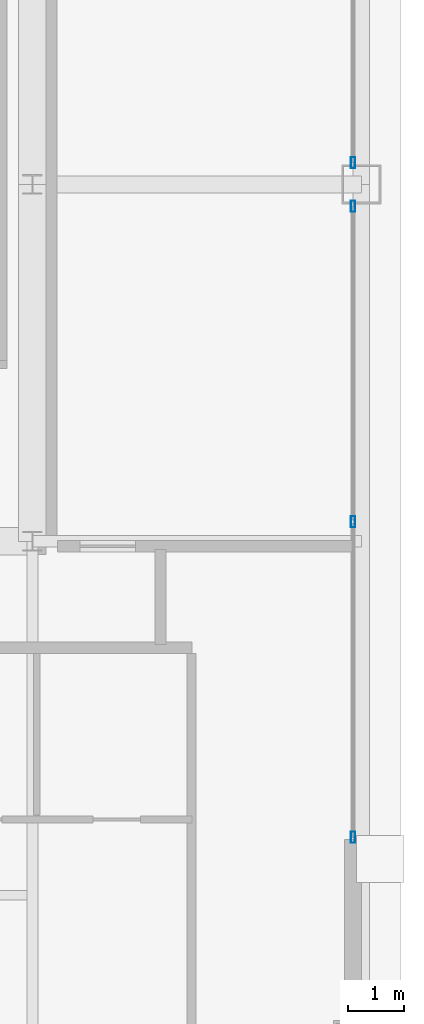
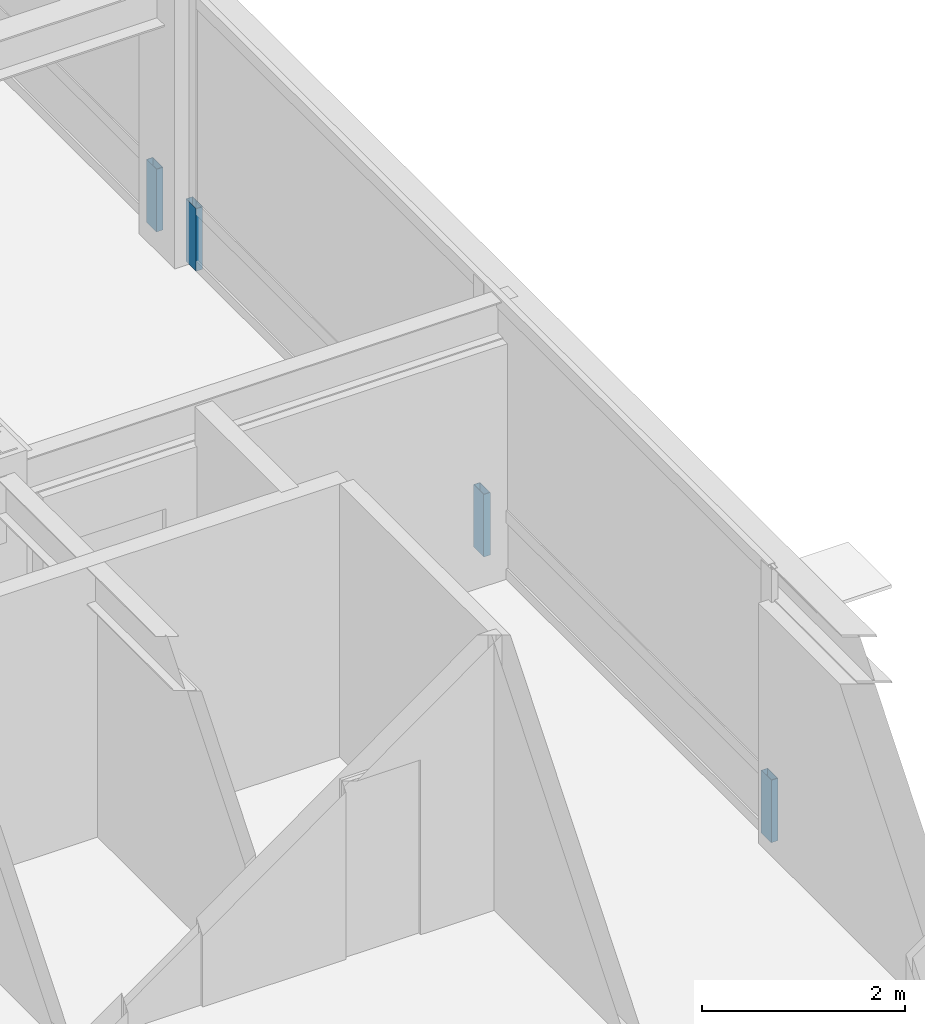
# One storey, part 25 of 34: 4 members, 2 elements without a shape of their own.
"""IFC4 building model written with IfcOpenShell, lengths in metres."""

from ifc_helpers import new_model, si_unit, direction, frame, origin, origin_2d, place, context, subcontext, project, spatial, hollow_rectangle, extrude, source, transform, mapped, material, layer, layer_set, material_profile, profile_set, type_object, element, aggregate, save


model = new_model("IFC4")

# Units and contexts
model_context = context("Model", 3, precision=1e-05, world=origin(), true_north=direction((0.0, 1.0)))
body_context = subcontext(model_context, "Body", "Model", "MODEL_VIEW")
ifc_project = project(units=[si_unit("LENGTHUNIT", "METRE"), si_unit("AREAUNIT", "SQUARE_METRE"), si_unit("VOLUMEUNIT", "CUBIC_METRE"), si_unit("PLANEANGLEUNIT", "RADIAN"), si_unit("MASSUNIT", "GRAM", prefix="KILO"), si_unit("THERMODYNAMICTEMPERATUREUNIT", "KELVIN"), si_unit("POWERUNIT", "WATT")], contexts=[model_context])

# Site, building, storey
site_placement = place(None, origin())
site = spatial("IfcSite", under=ifc_project, at=site_placement, CompositionType="ELEMENT")
building_placement = place(site_placement, origin())
building = spatial("IfcBuilding", under=site, at=building_placement, Name="Yuzanri Waterfront Tower", CompositionType="ELEMENT")
storey_placement = place(building_placement, frame((0.0, 0.0, 325.199951171875)))
storey = spatial("IfcBuildingStorey", under=building, at=storey_placement, Name="L87", CompositionType="ELEMENT", Elevation=325.199951171875)

# Curtain wall, members
ifc_material_1 = material(Name="Anodized Architectural Bronze", Category="metal")
ifc_layer = layer(ifc_material_1, 0.159912109375)
ifc_layer_set = layer_set([ifc_layer], Name="Anodized Architectural Bronze")
curtain_wall_type = type_object("IfcCurtainWallType", Name="Anodized Bronze High-Rise Penthouse High-Wind Unitized Curtain Wall 6900", PredefinedType="NOTDEFINED", material=ifc_layer_set)
curtain_wall_1_placement = place(storey_placement, origin())
curtain_wall_1 = element("IfcCurtainWall", 1, at=curtain_wall_1_placement, inside=storey, type_object=curtain_wall_type, Name="L87 Curtain Wall CW-L87-EL", PredefinedType="NOTDEFINED")
ifc_material_2 = material(Name="Anodized Architectural Bronze", Category="metal")
ifc_material_profile = material_profile(ifc_material_2, hollow_rectangle(XDim=0.074951171875, YDim=0.199951171875, WallThickness=0.00390625, at=origin_2d()), Name="CWM 75x200")
ifc_profile_set = profile_set([ifc_material_profile], Name="Anodized Architectural Bronze")
member_type = type_object("IfcMemberType", Name="Anodized Bronze Primary Curtain-Wall Mullion 75x200", PredefinedType="MULLION", material=ifc_profile_set)
shared_shape = source(origin(), body_context, "Body", "SweptSolid", [
    extrude(hollow_rectangle(XDim=0.074951171875, YDim=0.199951171875, WallThickness=0.00390625, at=origin_2d()), origin(), (0.0, 0.0, 1.0), 0.751953125),
])
member_1_placement = place(storey_placement, frame((55.949951171875, 14.090087890625, 0.0), z_axis=(0.0, 0.0, 1.0), x_axis=(1.0, 0.0, 0.0)))
member_1 = element("IfcMember", 2, at=member_1_placement, type_object=member_type, Name="CW-L87-EL Lower Mullion 00", PredefinedType="MULLION", context=body_context, shape_type="MappedRepresentation", body=[
    mapped(shared_shape, transform((0.0, 0.0, 0.0), scale=1.0)),
])
member_2_placement = place(storey_placement, frame((55.949951171875, 19.75, 0.0), z_axis=(0.0, 0.0, 1.0), x_axis=(1.0, 0.0, 0.0)))
member_2 = element("IfcMember", 3, at=member_2_placement, type_object=member_type, Name="CW-L87-EL Lower Mullion 01", PredefinedType="MULLION", context=body_context, shape_type="MappedRepresentation", body=[
    mapped(shared_shape, transform((0.0, 0.0, 0.0), scale=1.0)),
])
member_3_placement = place(storey_placement, frame((55.949951171875, 25.409912109375, 0.0), z_axis=(0.0, 0.0, 1.0), x_axis=(1.0, 0.0, 0.0)))
member_3 = element("IfcMember", 4, at=member_3_placement, type_object=member_type, Name="CW-L87-EL Lower Mullion 02", PredefinedType="MULLION", context=body_context, shape_type="MappedRepresentation", body=[
    mapped(shared_shape, transform((0.0, 0.0, 0.0), scale=1.0)),
])
aggregate(curtain_wall_1, [member_1, member_2, member_3])

# Curtain wall, member
curtain_wall_2_placement = place(storey_placement, origin())
curtain_wall_2 = element("IfcCurtainWall", 5, at=curtain_wall_2_placement, inside=storey, type_object=curtain_wall_type, Name="L87 Curtain Wall CW-L87-ER", PredefinedType="NOTDEFINED")
member_4_placement = place(storey_placement, frame((55.949951171875, 26.18994140625, 0.0), z_axis=(0.0, 0.0, 1.0), x_axis=(1.0, 0.0, 0.0)))
member_4 = element("IfcMember", 6, at=member_4_placement, type_object=member_type, Name="CW-L87-ER Lower Mullion 00", PredefinedType="MULLION", context=body_context, shape_type="MappedRepresentation", body=[
    mapped(shared_shape, transform((0.0, 0.0, 0.0), scale=1.0)),
])
aggregate(curtain_wall_2, [member_4])

save(model, "model.ifc")
